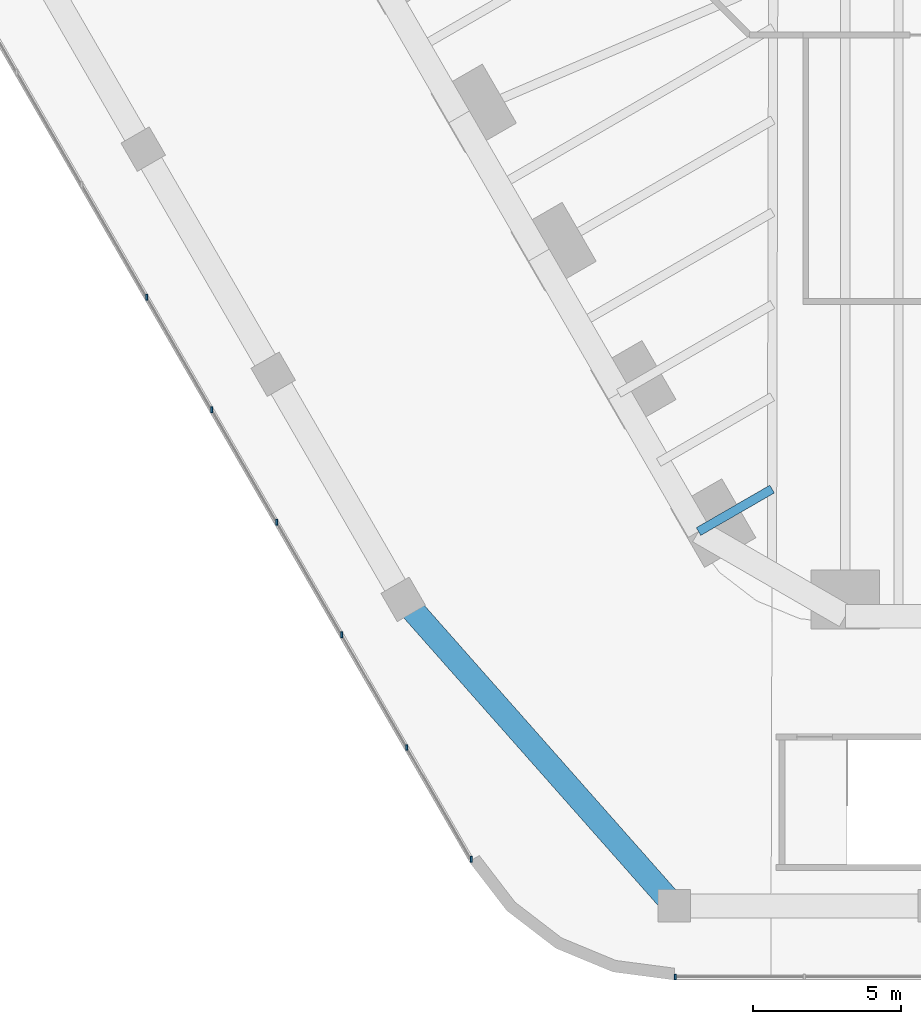
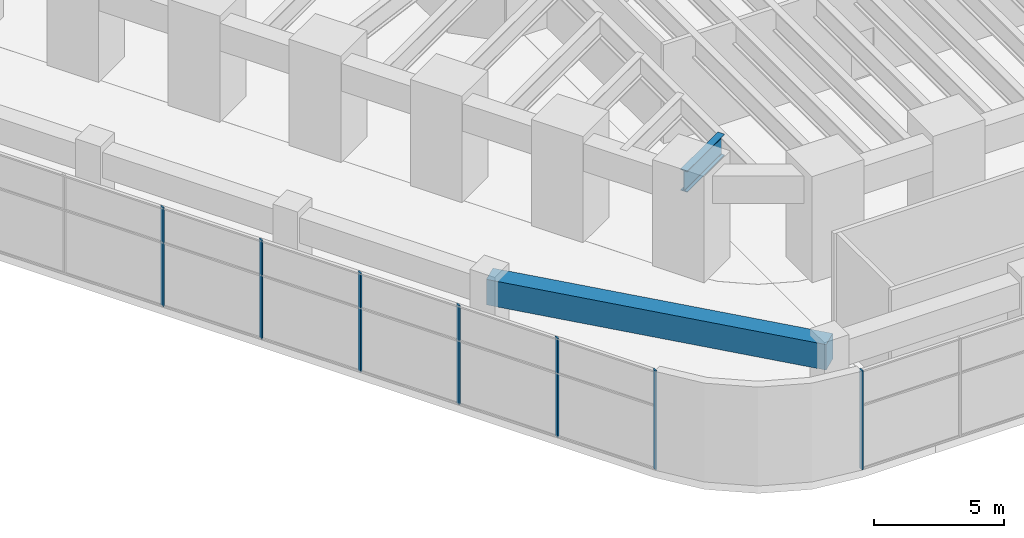
# One storey, part 2 of 31: 7 members, 2 beams, 2 elements without a shape of their own.
"""IFC4 building model written with IfcOpenShell, lengths in metres."""

from ifc_helpers import new_model, si_unit, direction, frame, origin, origin_2d, place, context, subcontext, project, spatial, rectangle, i_section, extrude, material, material_profile, profile_set, type_object, element, aggregate, save


model = new_model("IFC4")

# Units and contexts
model_context = context("Model", 3, precision=1e-05, world=origin(), true_north=direction((0.0, 1.0)))
body_context = subcontext(model_context, "Body", "Model", "MODEL_VIEW")
ifc_project = project(units=[si_unit("LENGTHUNIT", "METRE"), si_unit("AREAUNIT", "SQUARE_METRE"), si_unit("VOLUMEUNIT", "CUBIC_METRE"), si_unit("PLANEANGLEUNIT", "RADIAN"), si_unit("MASSUNIT", "GRAM", prefix="KILO")], contexts=[model_context])

# Site, building, storey
site_placement = place(None, origin())
site = spatial("IfcSite", under=ifc_project, at=site_placement, CompositionType="ELEMENT")
building_placement = place(site_placement, origin())
building = spatial("IfcBuilding", under=site, at=building_placement, Name="Tarfa Lantern Tower", CompositionType="ELEMENT")
storey_placement = place(building_placement, frame((0.0, 0.0, 18.5)))
storey = spatial("IfcBuildingStorey", under=building, at=storey_placement, Name="L03", CompositionType="ELEMENT", Elevation=18.5)

# Curtain wall, members
ifc_material_1 = material(Name="Aluminium framed curtain wall", Category="aluminium")
curtain_wall_type = type_object("IfcCurtainWallType", Name="CW7 PODIUM GLAZING 4650", PredefinedType="USERDEFINED", material=ifc_material_1)
curtain_wall_1_placement = place(storey_placement, origin())
curtain_wall_1 = element("IfcCurtainWall", 1, at=curtain_wall_1_placement, inside=storey, type_object=curtain_wall_type, Name="CW7 SW L03", ObjectType="CURTAIN WALL", PredefinedType="USERDEFINED")
ifc_material_2 = material(Name="Aluminium mullion", Category="aluminium")
ifc_material_profile_1 = material_profile(ifc_material_2, rectangle(XDim=0.06494140625, YDim=0.199951171875, at=origin_2d()), Name="AL MULLION 65x200")
ifc_profile_set_1 = profile_set([ifc_material_profile_1], Name="Aluminium mullion")
member_type = type_object("IfcMemberType", Name="CWM1 MULLION 65x200", PredefinedType="MULLION", material=ifc_profile_set_1)
member_1_placement = place(storey_placement, frame((-39.75048828125, -22.949951171875, 0.0), z_axis=(0.0, 0.0, 1.0), x_axis=(1.0, 0.0, 0.0)))
member_1 = element("IfcMember", 2, at=member_1_placement, type_object=member_type, Name="CW7 mullion 6", PredefinedType="MULLION", context=body_context, shape_type="SweptSolid", body=[
    extrude(rectangle(XDim=0.06494140625, YDim=0.199951171875, at=origin_2d()), origin(), (0.0, 0.0, 1.0), 4.64990234375),
])
member_2_placement = place(storey_placement, frame((-37.556640625, -26.75, 0.0), z_axis=(0.0, 0.0, 1.0), x_axis=(1.0, 0.0, 0.0)))
member_2 = element("IfcMember", 3, at=member_2_placement, type_object=member_type, Name="CW7 mullion 7", PredefinedType="MULLION", context=body_context, shape_type="SweptSolid", body=[
    extrude(rectangle(XDim=0.06494140625, YDim=0.199951171875, at=origin_2d()), origin(), (0.0, 0.0, 1.0), 4.64990234375),
])
member_3_placement = place(storey_placement, frame((-35.36279296875, -30.550048828125, 0.0), z_axis=(0.0, 0.0, 1.0), x_axis=(1.0, 0.0, 0.0)))
member_3 = element("IfcMember", 4, at=member_3_placement, type_object=member_type, Name="CW7 mullion 8", PredefinedType="MULLION", context=body_context, shape_type="SweptSolid", body=[
    extrude(rectangle(XDim=0.06494140625, YDim=0.199951171875, at=origin_2d()), origin(), (0.0, 0.0, 1.0), 4.64990234375),
])
member_4_placement = place(storey_placement, frame((-33.168701171875, -34.35009765625, 0.0), z_axis=(0.0, 0.0, 1.0), x_axis=(1.0, 0.0, 0.0)))
member_4 = element("IfcMember", 5, at=member_4_placement, type_object=member_type, Name="CW7 mullion 9", PredefinedType="MULLION", context=body_context, shape_type="SweptSolid", body=[
    extrude(rectangle(XDim=0.06494140625, YDim=0.199951171875, at=origin_2d()), origin(), (0.0, 0.0, 1.0), 4.64990234375),
])
member_5_placement = place(storey_placement, frame((-30.974853515625, -38.14990234375, 0.0), z_axis=(0.0, 0.0, 1.0), x_axis=(1.0, 0.0, 0.0)))
member_5 = element("IfcMember", 6, at=member_5_placement, type_object=member_type, Name="CW7 mullion 10", PredefinedType="MULLION", context=body_context, shape_type="SweptSolid", body=[
    extrude(rectangle(XDim=0.06494140625, YDim=0.199951171875, at=origin_2d()), origin(), (0.0, 0.0, 1.0), 4.64990234375),
])
member_6_placement = place(storey_placement, frame((-28.797119140625, -41.921875, 0.0), z_axis=(0.0, 0.0, 1.0), x_axis=(1.0, 0.0, 0.0)))
member_6 = element("IfcMember", 7, at=member_6_placement, type_object=member_type, Name="CW7 mullion 11", PredefinedType="MULLION", context=body_context, shape_type="SweptSolid", body=[
    extrude(rectangle(XDim=0.06494140625, YDim=0.199951171875, at=origin_2d()), origin(), (0.0, 0.0, 1.0), 4.64990234375),
])
aggregate(curtain_wall_1, [member_1, member_2, member_3, member_4, member_5, member_6])

# Curtain wall, member
curtain_wall_2_placement = place(storey_placement, origin())
curtain_wall_2 = element("IfcCurtainWall", 8, at=curtain_wall_2_placement, inside=storey, type_object=curtain_wall_type, Name="CW7 S L03", ObjectType="CURTAIN WALL", PredefinedType="USERDEFINED")
member_7_placement = place(storey_placement, frame((-21.90673828125, -45.89990234375, 0.0), z_axis=(0.0, 0.0, 1.0), x_axis=(1.0, 0.0, 0.0)))
member_7 = element("IfcMember", 9, at=member_7_placement, type_object=member_type, Name="CW7 mullion 1", PredefinedType="MULLION", context=body_context, shape_type="SweptSolid", body=[
    extrude(rectangle(XDim=0.06494140625, YDim=0.199951171875, at=origin_2d()), origin(), (0.0, 0.0, 1.0), 4.64990234375),
])
aggregate(curtain_wall_2, [member_7])

# Beams
ifc_material_3 = material(Name="Concrete C80/95", Category="concrete")
ifc_material_profile_2 = material_profile(ifc_material_3, rectangle(XDim=0.800048828125, YDim=1.199951171875, at=origin_2d()), Name="RC 800x1200")
ifc_profile_set_2 = profile_set([ifc_material_profile_2], Name="Concrete C80/95")
beam_type_1 = type_object("IfcBeamType", Name="PB2 RC 800x1200", PredefinedType="BEAM", material=ifc_profile_set_2)
beam_1_placement = place(storey_placement, frame((-31.09033203125, -33.14990234375, 4.050048828125), z_axis=(0.662381688084, -0.74916653642, 0.0), x_axis=(0.74916653642, 0.662381688084, 0.0)))
element("IfcBeam", 10, at=beam_1_placement, inside=storey, type_object=beam_type_1, Name="Podium ring beam SW4", PredefinedType="BEAM", context=body_context, shape_type="SweptSolid", body=[
    extrude(rectangle(XDim=0.800048828125, YDim=1.199951171875, at=origin_2d()), origin(), (0.0, 0.0, 1.0), 13.8154296875),
])
ifc_material_4 = material(Name="Steel S460M", Category="steel")
ifc_material_profile_3 = material_profile(ifc_material_4, i_section(OverallWidth=0.302001953125, OverallDepth=1.008056640625, WebThickness=0.02099609375, FlangeThickness=0.0400390625, FilletRadius=0.030029296875, at=origin_2d()), Name="UB1016x305x349")
ifc_profile_set_3 = profile_set([ifc_material_profile_3], Name="Steel S460M")
beam_type_2 = type_object("IfcBeamType", Name="UB1016x305x349", PredefinedType="BEAM", material=ifc_profile_set_3)
beam_2_placement = place(storey_placement, frame((-21.119384765625, -30.860107421875, 4.14599609375), z_axis=(0.866012580594, 0.500022209759, 0.0), x_axis=(-0.500022209759, 0.866012580594, 0.0)))
element("IfcBeam", 11, at=beam_2_placement, inside=storey, type_object=beam_type_2, Name="Floor beam SW6", PredefinedType="BEAM", context=body_context, shape_type="SweptSolid", body=[
    extrude(i_section(OverallWidth=0.302001953125, OverallDepth=1.008056640625, WebThickness=0.02099609375, FlangeThickness=0.0400390625, FilletRadius=0.030029296875, at=origin_2d()), origin(), (0.0, 0.0, 1.0), 2.866943359375),
])

save(model, "model.ifc")
